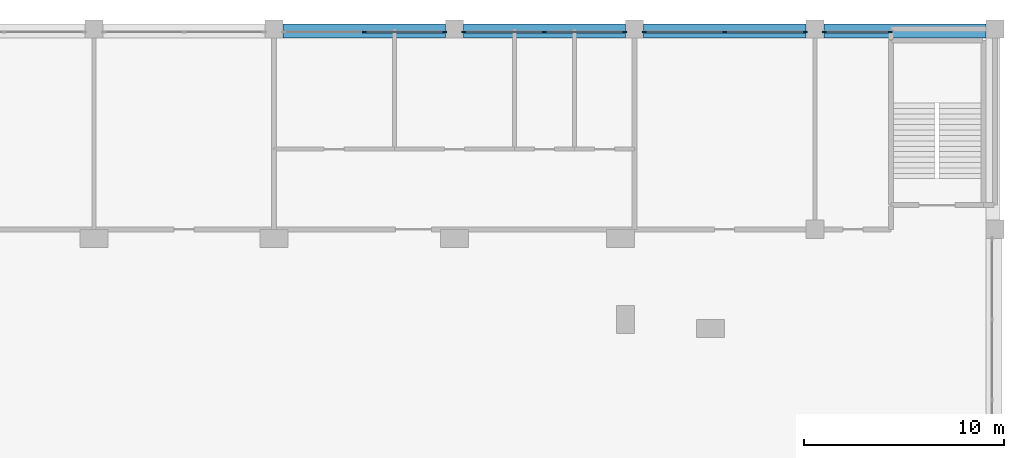
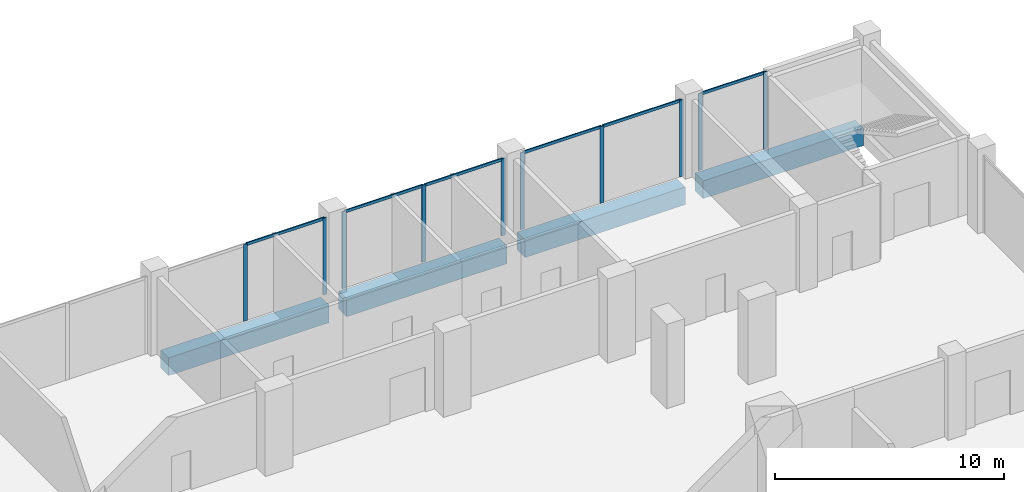
# One storey, part 12 of 22: 16 members, 4 beams, 4 elements without a shape of their own.
"""IFC4 building model written with IfcOpenShell, lengths in metres."""

from ifc_helpers import new_model, si_unit, direction, frame, origin, origin_2d, place, context, subcontext, project, spatial, rectangle, extrude, material, layer, layer_set, material_profile, profile_set, type_object, element, aggregate, save


model = new_model("IFC4")

# Units and contexts
model_context = context("Model", 3, precision=1e-05, world=origin(), true_north=direction((0.0, 1.0)))
body_context = subcontext(model_context, "Body", "Model", "MODEL_VIEW")
ifc_project = project(units=[si_unit("LENGTHUNIT", "METRE"), si_unit("AREAUNIT", "SQUARE_METRE"), si_unit("VOLUMEUNIT", "CUBIC_METRE"), si_unit("PLANEANGLEUNIT", "RADIAN"), si_unit("MASSUNIT", "GRAM", prefix="KILO")], contexts=[model_context])

# Site, building, storey
site_placement = place(None, origin())
site = spatial("IfcSite", under=ifc_project, at=site_placement, CompositionType="ELEMENT")
building_placement = place(site_placement, origin())
building = spatial("IfcBuilding", under=site, at=building_placement, Name="Brigalow Station Residences", CompositionType="ELEMENT")
storey_placement = place(building_placement, frame((0.0, 0.0, 6.5)))
storey = spatial("IfcBuildingStorey", under=building, at=storey_placement, Name="L01", CompositionType="ELEMENT", Elevation=6.5)

# Beams
ifc_material_1 = material(Name="Concrete C65", Category="concrete")
ifc_material_profile_1 = material_profile(ifc_material_1, rectangle(XDim=0.699951171875, YDim=0.949951171875, at=origin_2d()), Name="RC700x950")
ifc_profile_set_1 = profile_set([ifc_material_profile_1], Name="Concrete C65")
beam_type = type_object("IfcBeamType", Name="EDGE GIRDER 4.5 TO 9.9 M SPAN 700x950 C65", PredefinedType="BEAM", material=ifc_profile_set_1)
for number, where, z_axis, x_axis, name in (
    (1, (54.449951171875, 58.39990234375, -0.876953125), (1.0, 0.0, 0.0), (0.0, 1.0, 0.0), "PODIUM EDGE GIRDER N27 L01"),
    (2, (63.449951171875, 58.39990234375, -0.876953125), (1.0, 0.0, 0.0), (0.0, 1.0, 0.0), "PODIUM EDGE GIRDER N28 L01"),
    (3, (72.449951171875, 58.39990234375, -0.876953125), (1.0, 0.0, 0.0), (0.0, 1.0, 0.0), "PODIUM EDGE GIRDER N29 L01"),
    (4, (81.449951171875, 58.39990234375, -0.876953125), (1.0, 0.0, 0.0), (0.0, 1.0, 0.0), "PODIUM EDGE GIRDER N30 L01"),
):
    element("IfcBeam", number, at=place(storey_placement, frame(where, z_axis=z_axis, x_axis=x_axis)), inside=storey, type_object=beam_type, Name=name, PredefinedType="BEAM", context=body_context, shape_type="SweptSolid", body=[
        extrude(rectangle(XDim=0.699951171875, YDim=0.949951171875, at=origin_2d()), origin(), (0.0, 0.0, 1.0), 8.10009765625),
    ])

# Curtain wall, members
ifc_material_2 = material(Name="Aluminium", Category="aluminium")
ifc_layer = layer(ifc_material_2, 0.199951171875)
ifc_layer_set = layer_set([ifc_layer], Name="PODIUM UNITISED GLAZING CURTAIN WALL")
curtain_wall_type = type_object("IfcCurtainWallType", Name="PODIUM UNITISED GLAZING CURTAIN WALL", PredefinedType="NOTDEFINED", material=ifc_layer_set)
curtain_wall_1_placement = place(storey_placement, origin())
curtain_wall_1 = element("IfcCurtainWall", 5, at=curtain_wall_1_placement, inside=storey, type_object=curtain_wall_type, Name="L01/cw/podium-W-L01-19-6", PredefinedType="NOTDEFINED")
ifc_material_3 = material(Name="Aluminium", Category="aluminium")
ifc_material_profile_2 = material_profile(ifc_material_3, rectangle(XDim=0.06494140625, YDim=0.199951171875, at=origin_2d()), Name="PODIUM UNITISED GLAZING MULLION 65x200")
ifc_profile_set_2 = profile_set([ifc_material_profile_2], Name="Aluminium")
member_type_1 = type_object("IfcMemberType", Name="PODIUM UNITISED GLAZING MULLION 65x200", PredefinedType="MULLION", material=ifc_profile_set_2)
member_1_placement = place(storey_placement, frame((84.767578125, 58.35009765625, 0.0), z_axis=(0.0, 0.0, 1.0), x_axis=(0.0, -1.0, 0.0)))
member_1 = element("IfcMember", 6, at=member_1_placement, type_object=member_type_1, Name="L01/cw/podium-W-L01-19-6/M00", PredefinedType="MULLION", context=body_context, shape_type="SweptSolid", body=[
    extrude(rectangle(XDim=0.06494140625, YDim=0.199951171875, at=origin_2d()), origin(), (0.0, 0.0, 1.0), 4.097900390625),
])
member_2_placement = place(storey_placement, frame((81.482421875, 58.35009765625, 0.0), z_axis=(0.0, 0.0, 1.0), x_axis=(0.0, -1.0, 0.0)))
member_2 = element("IfcMember", 7, at=member_2_placement, type_object=member_type_1, Name="L01/cw/podium-W-L01-19-6/M01", PredefinedType="MULLION", context=body_context, shape_type="SweptSolid", body=[
    extrude(rectangle(XDim=0.06494140625, YDim=0.199951171875, at=origin_2d()), origin(), (0.0, 0.0, 1.0), 4.097900390625),
])

curtain_wall_2_placement = place(storey_placement, origin())
curtain_wall_2 = element("IfcCurtainWall", 8, at=curtain_wall_2_placement, inside=storey, type_object=curtain_wall_type, Name="L01/cw/podium-W-L01-19-7", PredefinedType="NOTDEFINED")
member_3_placement = place(storey_placement, frame((80.517578125, 58.35009765625, 0.0), z_axis=(0.0, 0.0, 1.0), x_axis=(0.0, -1.0, 0.0)))
member_3 = element("IfcMember", 9, at=member_3_placement, type_object=member_type_1, Name="L01/cw/podium-W-L01-19-7/M00", PredefinedType="MULLION", context=body_context, shape_type="SweptSolid", body=[
    extrude(rectangle(XDim=0.06494140625, YDim=0.199951171875, at=origin_2d()), origin(), (0.0, 0.0, 1.0), 4.097900390625),
])
member_4_placement = place(storey_placement, frame((76.5, 58.35009765625, 0.0), z_axis=(0.0, 0.0, 1.0), x_axis=(0.0, -1.0, 0.0)))
member_4 = element("IfcMember", 10, at=member_4_placement, type_object=member_type_1, Name="L01/cw/podium-W-L01-19-7/M01", PredefinedType="MULLION", context=body_context, shape_type="SweptSolid", body=[
    extrude(rectangle(XDim=0.06494140625, YDim=0.199951171875, at=origin_2d()), origin(), (0.0, 0.0, 1.0), 4.097900390625),
])
member_5_placement = place(storey_placement, frame((72.482421875, 58.35009765625, 0.0), z_axis=(0.0, 0.0, 1.0), x_axis=(0.0, -1.0, 0.0)))
member_5 = element("IfcMember", 11, at=member_5_placement, type_object=member_type_1, Name="L01/cw/podium-W-L01-19-7/M02", PredefinedType="MULLION", context=body_context, shape_type="SweptSolid", body=[
    extrude(rectangle(XDim=0.06494140625, YDim=0.199951171875, at=origin_2d()), origin(), (0.0, 0.0, 1.0), 4.097900390625),
])

curtain_wall_3_placement = place(storey_placement, origin())
curtain_wall_3 = element("IfcCurtainWall", 12, at=curtain_wall_3_placement, inside=storey, type_object=curtain_wall_type, Name="L01/cw/podium-W-L01-19-8", PredefinedType="NOTDEFINED")
member_6_placement = place(storey_placement, frame((71.517578125, 58.35009765625, 0.0), z_axis=(0.0, 0.0, 1.0), x_axis=(0.0, -1.0, 0.0)))
member_6 = element("IfcMember", 13, at=member_6_placement, type_object=member_type_1, Name="L01/cw/podium-W-L01-19-8/M00", PredefinedType="MULLION", context=body_context, shape_type="SweptSolid", body=[
    extrude(rectangle(XDim=0.06494140625, YDim=0.199951171875, at=origin_2d()), origin(), (0.0, 0.0, 1.0), 4.097900390625),
])
member_7_placement = place(storey_placement, frame((67.5, 58.35009765625, 0.0), z_axis=(0.0, 0.0, 1.0), x_axis=(0.0, -1.0, 0.0)))
member_7 = element("IfcMember", 14, at=member_7_placement, type_object=member_type_1, Name="L01/cw/podium-W-L01-19-8/M01", PredefinedType="MULLION", context=body_context, shape_type="SweptSolid", body=[
    extrude(rectangle(XDim=0.06494140625, YDim=0.199951171875, at=origin_2d()), origin(), (0.0, 0.0, 1.0), 4.097900390625),
])
member_8_placement = place(storey_placement, frame((63.482421875, 58.35009765625, 0.0), z_axis=(0.0, 0.0, 1.0), x_axis=(0.0, -1.0, 0.0)))
member_8 = element("IfcMember", 15, at=member_8_placement, type_object=member_type_1, Name="L01/cw/podium-W-L01-19-8/M02", PredefinedType="MULLION", context=body_context, shape_type="SweptSolid", body=[
    extrude(rectangle(XDim=0.06494140625, YDim=0.199951171875, at=origin_2d()), origin(), (0.0, 0.0, 1.0), 4.097900390625),
])

curtain_wall_4_placement = place(storey_placement, origin())
curtain_wall_4 = element("IfcCurtainWall", 16, at=curtain_wall_4_placement, inside=storey, type_object=curtain_wall_type, Name="L01/cw/podium-W-L01-19-9", PredefinedType="NOTDEFINED")
member_9_placement = place(storey_placement, frame((62.517578125, 58.35009765625, 0.0), z_axis=(0.0, 0.0, 1.0), x_axis=(0.0, -1.0, 0.0)))
member_9 = element("IfcMember", 17, at=member_9_placement, type_object=member_type_1, Name="L01/cw/podium-W-L01-19-9/M00", PredefinedType="MULLION", context=body_context, shape_type="SweptSolid", body=[
    extrude(rectangle(XDim=0.06494140625, YDim=0.199951171875, at=origin_2d()), origin(), (0.0, 0.0, 1.0), 4.097900390625),
])
member_10_placement = place(storey_placement, frame((58.5, 58.35009765625, 0.0), z_axis=(0.0, 0.0, 1.0), x_axis=(0.0, -1.0, 0.0)))
member_10 = element("IfcMember", 18, at=member_10_placement, type_object=member_type_1, Name="L01/cw/podium-W-L01-19-9/M01", PredefinedType="MULLION", context=body_context, shape_type="SweptSolid", body=[
    extrude(rectangle(XDim=0.06494140625, YDim=0.199951171875, at=origin_2d()), origin(), (0.0, 0.0, 1.0), 4.097900390625),
])

# Member
ifc_material_4 = material(Name="Aluminium", Category="aluminium")
ifc_material_profile_3 = material_profile(ifc_material_4, rectangle(XDim=0.06494140625, YDim=0.14990234375, at=origin_2d()), Name="PODIUM UNITISED GLAZING TRANSOM 65x150")
ifc_profile_set_3 = profile_set([ifc_material_profile_3], Name="Aluminium")
member_type_2 = type_object("IfcMemberType", Name="PODIUM UNITISED GLAZING TRANSOM 65x150", PredefinedType="USERDEFINED", material=ifc_profile_set_3)
member_11_placement = place(storey_placement, frame((84.735107421875, 58.35009765625, 4.0654296875), z_axis=(-1.0, 0.0, 0.0), x_axis=(0.0, -1.0, 0.0)))
member_11 = element("IfcMember", 19, at=member_11_placement, type_object=member_type_2, Name="L01/cw/podium-W-L01-19-6/T00-00", ObjectType="TRANSOM", PredefinedType="USERDEFINED", context=body_context, shape_type="SweptSolid", body=[
    extrude(rectangle(XDim=0.06494140625, YDim=0.14990234375, at=origin_2d()), origin(), (0.0, 0.0, 1.0), 3.22021484375),
])

aggregate(curtain_wall_1, [member_1, member_2, member_11])

member_12_placement = place(storey_placement, frame((80.485107421875, 58.35009765625, 4.0654296875), z_axis=(-1.0, 0.0, 0.0), x_axis=(0.0, -1.0, 0.0)))
member_12 = element("IfcMember", 20, at=member_12_placement, type_object=member_type_2, Name="L01/cw/podium-W-L01-19-7/T00-00", ObjectType="TRANSOM", PredefinedType="USERDEFINED", context=body_context, shape_type="SweptSolid", body=[
    extrude(rectangle(XDim=0.06494140625, YDim=0.14990234375, at=origin_2d()), origin(), (0.0, 0.0, 1.0), 3.95263671875),
])

member_13_placement = place(storey_placement, frame((76.467529296875, 58.35009765625, 4.0654296875), z_axis=(-1.0, 0.0, 0.0), x_axis=(0.0, -1.0, 0.0)))
member_13 = element("IfcMember", 21, at=member_13_placement, type_object=member_type_2, Name="L01/cw/podium-W-L01-19-7/T01-00", ObjectType="TRANSOM", PredefinedType="USERDEFINED", context=body_context, shape_type="SweptSolid", body=[
    extrude(rectangle(XDim=0.06494140625, YDim=0.14990234375, at=origin_2d()), origin(), (0.0, 0.0, 1.0), 3.95263671875),
])

aggregate(curtain_wall_2, [member_3, member_4, member_5, member_12, member_13])

member_14_placement = place(storey_placement, frame((71.485107421875, 58.35009765625, 4.0654296875), z_axis=(-1.0, 0.0, 0.0), x_axis=(0.0, -1.0, 0.0)))
member_14 = element("IfcMember", 22, at=member_14_placement, type_object=member_type_2, Name="L01/cw/podium-W-L01-19-8/T00-00", ObjectType="TRANSOM", PredefinedType="USERDEFINED", context=body_context, shape_type="SweptSolid", body=[
    extrude(rectangle(XDim=0.06494140625, YDim=0.14990234375, at=origin_2d()), origin(), (0.0, 0.0, 1.0), 3.95263671875),
])

member_15_placement = place(storey_placement, frame((67.467529296875, 58.35009765625, 4.0654296875), z_axis=(-1.0, 0.0, 0.0), x_axis=(0.0, -1.0, 0.0)))
member_15 = element("IfcMember", 23, at=member_15_placement, type_object=member_type_2, Name="L01/cw/podium-W-L01-19-8/T01-00", ObjectType="TRANSOM", PredefinedType="USERDEFINED", context=body_context, shape_type="SweptSolid", body=[
    extrude(rectangle(XDim=0.06494140625, YDim=0.14990234375, at=origin_2d()), origin(), (0.0, 0.0, 1.0), 3.95263671875),
])

aggregate(curtain_wall_3, [member_6, member_7, member_8, member_14, member_15])

member_16_placement = place(storey_placement, frame((62.485107421875, 58.35009765625, 4.0654296875), z_axis=(-1.0, 0.0, 0.0), x_axis=(0.0, -1.0, 0.0)))
member_16 = element("IfcMember", 24, at=member_16_placement, type_object=member_type_2, Name="L01/cw/podium-W-L01-19-9/T00-00", ObjectType="TRANSOM", PredefinedType="USERDEFINED", context=body_context, shape_type="SweptSolid", body=[
    extrude(rectangle(XDim=0.06494140625, YDim=0.14990234375, at=origin_2d()), origin(), (0.0, 0.0, 1.0), 3.95263671875),
])

aggregate(curtain_wall_4, [member_9, member_10, member_16])

save(model, "model.ifc")
